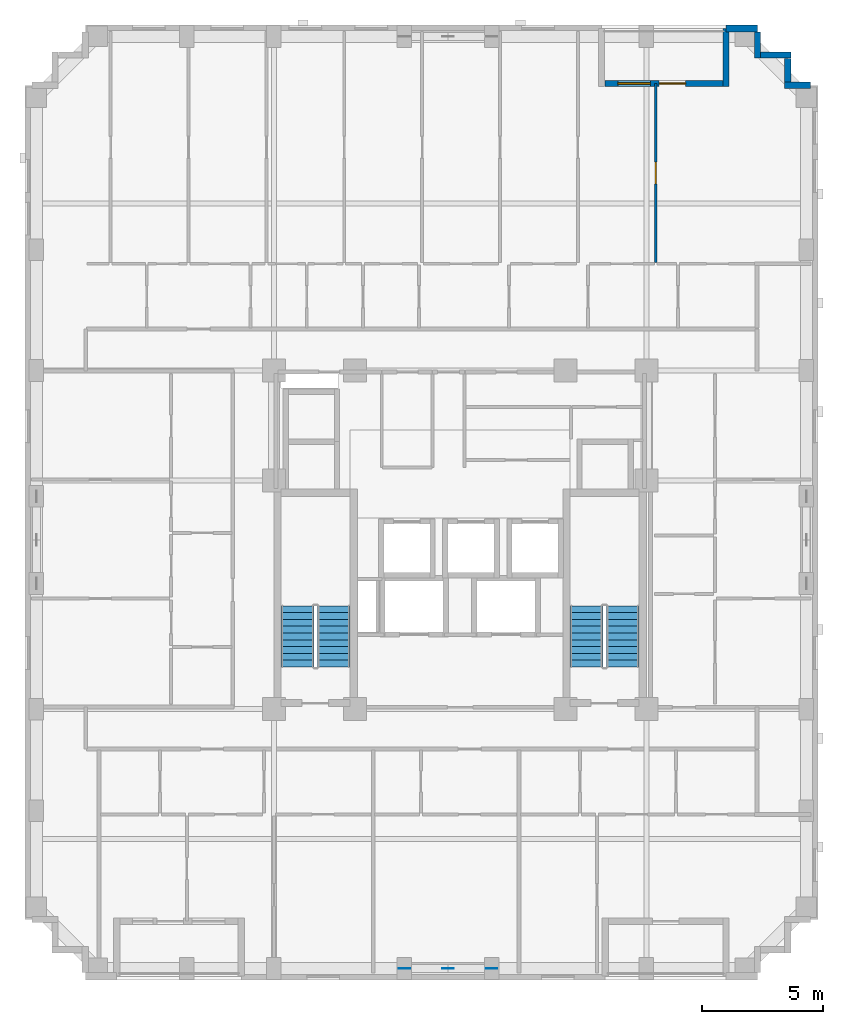
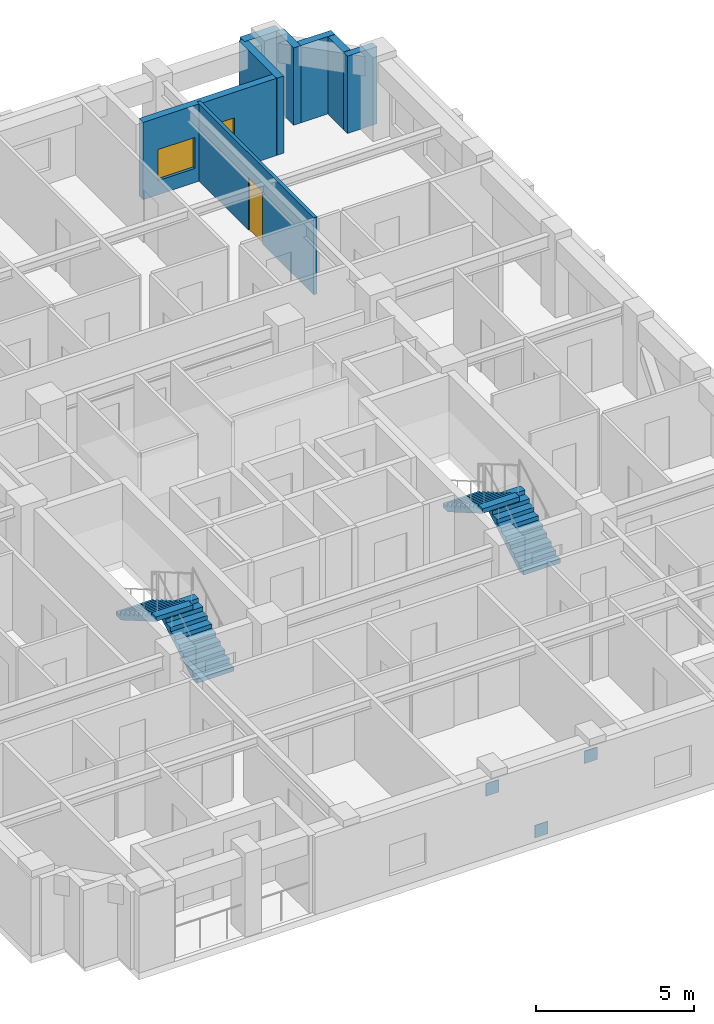
# One storey, part 8 of 11: 8 walls, 4 stair flights, 3 discrete accessories, 2 doors, 1 window, 3 openings, 2 elements without a shape of their own.
"""IFC4 building model written with IfcOpenShell, lengths in metres."""

from ifc_helpers import new_model, si_unit, derived_unit, direction, frame, frame_2d, origin, origin_2d, place, context, subcontext, project, spatial, polyline, rectangle, outline, extrude, material, layer, layer_set, type_object, element, fill, aggregate, save


model = new_model("IFC4")

# Units and contexts
model_context = context("Model", 3, precision=1e-05, world=origin(), true_north=direction((0.0, 1.0)))
body_context = subcontext(model_context, "Body", "Model", "MODEL_VIEW")
ifc_project = project(units=[si_unit("LENGTHUNIT", "METRE"), si_unit("AREAUNIT", "SQUARE_METRE"), si_unit("VOLUMEUNIT", "CUBIC_METRE"), si_unit("PLANEANGLEUNIT", "RADIAN"), si_unit("MASSUNIT", "GRAM", prefix="KILO"), derived_unit("THERMALTRANSMITTANCEUNIT", [(si_unit("MASSUNIT", "GRAM", prefix="KILO"), 1), (si_unit("TIMEUNIT", "SECOND"), -3), (si_unit("THERMODYNAMICTEMPERATUREUNIT", "KELVIN"), -1)])], contexts=[model_context])

# Site, building, storey
site_placement = place(None, origin())
site = spatial("IfcSite", under=ifc_project, at=site_placement, CompositionType="ELEMENT")
building_placement = place(site_placement, origin())
building = spatial("IfcBuilding", under=site, at=building_placement, Name="Korrvale Station Residences", CompositionType="ELEMENT")
storey_placement = place(building_placement, frame((0.0, 0.0, 156.89990234375)))
storey = spatial("IfcBuildingStorey", under=building, at=storey_placement, Name="L45", CompositionType="ELEMENT", Elevation=156.89990234375)

# Wall, openings, door, window
ifc_material_1 = material(Name="Precast concrete C45/55", Category="concrete")
ifc_layer_1 = layer(ifc_material_1, 0.260009765625, Name="Precast concrete C45/55")
ifc_layer_set_1 = layer_set([ifc_layer_1], Name="Precast concrete C45/55")
wall_type_1 = type_object("IfcWallType", Name="WAL-EXT-LOG260", PredefinedType="SOLIDWALL", material=ifc_layer_set_1)
wall_1_placement = place(storey_placement, frame((31.48388671875, 40.8701171875, 0.0), z_axis=(0.0, 0.0, 1.0), x_axis=(1.0, 0.0, 0.0)))
wall_1 = element("IfcWall", 1, at=wall_1_placement, inside=storey, type_object=wall_type_1, Name="L45 Recessed Loggia Wall BAL-L45-N1-B", PredefinedType="SOLIDWALL", context=body_context, shape_type="SweptSolid", body=[
    extrude(rectangle(XDim=4.882080078125, YDim=0.260009765625, at=frame_2d((2.44091796875, 0.0))), origin(), (0.0, 0.0, 1.0), 2.989990234375),
])
opening_1_placement = place(wall_1_placement, frame((2.24609375, 0.0, 0.0)))
opening_1 = element("IfcOpeningElement", 2, at=opening_1_placement, cuts=wall_1, Name="Opening BD-01", PredefinedType="OPENING", context=body_context, shape_type="SweptSolid", body=[
    extrude(rectangle(XDim=1.10009765625, YDim=2.0, at=frame_2d((0.550048828125, 1.0))), frame((0.0, 0.14013671875, 0.0), z_axis=(0.0, -1.0, 0.0), x_axis=(1.0, 0.0, 0.0)), (0.0, 0.0, 1.0), 0.280029296875),
])
opening_2_placement = place(wall_1_placement, frame((0.535888671875, 0.0, 0.550048828125)))
opening_2 = element("IfcOpeningElement", 3, at=opening_2_placement, cuts=wall_1, Name="Opening W-10", PredefinedType="OPENING", context=body_context, shape_type="SweptSolid", body=[
    extrude(rectangle(XDim=1.35009765625, YDim=1.199951171875, at=frame_2d((0.675048828125, 0.60009765625))), frame((0.0, 0.14013671875, 0.0), z_axis=(0.0, -1.0, 0.0), x_axis=(1.0, 0.0, 0.0)), (0.0, 0.0, 1.0), 0.280029296875),
])
ifc_material_2 = material(Name="Exterior thermally broken aluminium glazed balcony door", Category="aluminium")
door_type_1 = type_object("IfcDoorType", Name="DR-EXT-BAL", OperationType="NOTDEFINED", PredefinedType="DOOR", material=ifc_material_2)
door_1_placement = place(opening_1_placement, origin())
door_1 = element("IfcDoor", 4, at=door_1_placement, inside=storey, type_object=door_type_1, Name="L45 Loggia Balcony Door BAL-L45-N1", OperationType="SINGLE_SWING_LEFT", OverallHeight=2.0, OverallWidth=1.10009765625, PredefinedType="DOOR", context=body_context, shape_type="SweptSolid", body=[
    extrude(rectangle(XDim=1.10009765625, YDim=2.0, at=frame_2d((0.550048828125, 1.0))), frame((0.0, 0.02490234375, 0.0), z_axis=(0.0, -1.0, 0.0), x_axis=(1.0, 0.0, 0.0)), (0.0, 0.0, 1.0), 0.050048828125),
])
fill(opening_1, door_1)
ifc_material_3 = material(Name="Thermally broken aluminium frame with triple low-e glazing", Category="aluminium")
window_type = type_object("IfcWindowType", Name="WIN-W10", PartitioningType="SINGLE_PANEL", PredefinedType="WINDOW", material=ifc_material_3)
window_placement = place(opening_2_placement, origin())
window = element("IfcWindow", 5, at=window_placement, inside=storey, type_object=window_type, Name="L45 Punched Window 13", OverallHeight=1.199951171875, OverallWidth=1.35009765625, PartitioningType="SINGLE_PANEL", PredefinedType="WINDOW", context=body_context, shape_type="SweptSolid", body=[
    extrude(rectangle(XDim=1.35009765625, YDim=1.199951171875, at=frame_2d((0.675048828125, 0.60009765625))), frame((0.0, 0.030029296875, 0.0), z_axis=(0.0, -1.0, 0.0), x_axis=(1.0, 0.0, 0.0)), (0.0, 0.0, 1.0), 0.06005859375),
])
fill(opening_2, window)

# Walls
wall_2_placement = place(storey_placement, frame((36.5, 40.739990234375, 0.0), z_axis=(0.0, 0.0, 1.0), x_axis=(0.0, 1.0, 0.0)))
element("IfcWall", 6, at=wall_2_placement, inside=storey, type_object=wall_type_1, Name="L45 Recessed Loggia Wall BAL-L45-N1-R", PredefinedType="SOLIDWALL", context=body_context, shape_type="SweptSolid", body=[
    extrude(rectangle(XDim=2.39990234375, YDim=0.260009765625, at=frame_2d((1.199951171875, 0.0))), origin(), (0.0, 0.0, 1.0), 2.989990234375),
])
wall_3_placement = place(storey_placement, frame((37.800048828125, 42.998046875, 0.0), z_axis=(0.0, 0.0, 1.0), x_axis=(0.0, -1.0, 0.0)))
element("IfcWall", 7, at=wall_3_placement, inside=storey, type_object=wall_type_1, Name="L45 Serrated Corner Precast Step NE-1", PredefinedType="SOLIDWALL", context=body_context, shape_type="SweptSolid", body=[
    extrude(rectangle(XDim=1.078125, YDim=0.260009765625, at=frame_2d((0.5390625, 0.0))), origin(), (0.0, 0.0, 1.0), 2.989990234375),
])
wall_4_placement = place(storey_placement, frame((37.931884765625, 42.050048828125, 0.0), z_axis=(0.0, 0.0, 1.0), x_axis=(1.0, 0.0, 0.0)))
element("IfcWall", 8, at=wall_4_placement, inside=storey, type_object=wall_type_1, Name="L45 Serrated Corner Precast Step NE-2", PredefinedType="SOLIDWALL", context=body_context, shape_type="SweptSolid", body=[
    extrude(rectangle(XDim=1.248046875, YDim=0.260009765625, at=frame_2d((0.6240234375, 0.0))), origin(), (0.0, 0.0, 1.0), 2.989990234375),
])
wall_5_placement = place(storey_placement, frame((39.050048828125, 41.91796875, 0.0), z_axis=(0.0, 0.0, 1.0), x_axis=(0.0, -1.0, 0.0)))
element("IfcWall", 9, at=wall_5_placement, inside=storey, type_object=wall_type_1, Name="L45 Serrated Corner Precast Step NE-3", PredefinedType="SOLIDWALL", context=body_context, shape_type="SweptSolid", body=[
    extrude(rectangle(XDim=0.986083984375, YDim=0.260009765625, at=frame_2d((0.4931640625, 0.0))), origin(), (0.0, 0.0, 1.0), 2.989990234375),
])
wall_6_placement = place(storey_placement, frame((38.919921875, 40.800048828125, 0.0), z_axis=(0.0, 0.0, 1.0), x_axis=(1.0, 0.0, 0.0)))
element("IfcWall", 10, at=wall_6_placement, inside=storey, type_object=wall_type_1, Name="L45 Serrated Corner Precast Step NE-4", PredefinedType="SOLIDWALL", context=body_context, shape_type="SweptSolid", body=[
    extrude(rectangle(XDim=1.078125, YDim=0.260009765625, at=frame_2d((0.5390625, 0.0))), origin(), (0.0, 0.0, 1.0), 2.989990234375),
])
ifc_layer_2 = layer(ifc_material_1, 0.300048828125, Name="Precast concrete C45/55")
ifc_layer_set_2 = layer_set([ifc_layer_2], Name="Precast concrete C45/55")
wall_type_2 = type_object("IfcWallType", Name="WAL-EXT-PC300", PredefinedType="SOLIDWALL", material=ifc_layer_set_2)
wall_7_placement = place(storey_placement, frame((36.5, 43.14990234375, 0.0), z_axis=(0.0, 0.0, 1.0), x_axis=(1.0, 0.0, 0.0)))
element("IfcWall", 11, at=wall_7_placement, inside=storey, type_object=wall_type_2, Name="L45 North Exterior Precast Wall 2", PredefinedType="SOLIDWALL", context=body_context, shape_type="SweptSolid", body=[
    extrude(rectangle(XDim=1.300048828125, YDim=0.300048828125, at=frame_2d((0.64990234375, 0.0))), origin(), (0.0, 0.0, 1.0), 2.989990234375),
])

# Wall, opening, door
ifc_material_4 = material(Name="Acoustic steel-stud gypsum board partition", Category="steel")
ifc_layer_3 = layer(ifc_material_4, 0.1201171875, Name="Acoustic steel-stud gypsum board partition")
ifc_layer_set_3 = layer_set([ifc_layer_3], Name="Acoustic steel-stud gypsum board partition")
wall_type_3 = type_object("IfcWallType", Name="WAL-PART-125", PredefinedType="PARTITIONING", material=ifc_layer_set_3)
wall_8_placement = place(storey_placement, frame((33.590087890625, 33.47998046875, 0.0), z_axis=(0.0, 0.0, 1.0), x_axis=(0.0, 1.0, 0.0)))
wall_8 = element("IfcWall", 12, at=wall_8_placement, inside=storey, type_object=wall_type_3, Name="L45 Suite Partition U04-V1617", PredefinedType="PARTITIONING", context=body_context, shape_type="SweptSolid", body=[
    extrude(rectangle(XDim=7.39013671875, YDim=0.1201171875, at=frame_2d((3.695068359375, 0.0))), origin(), (0.0, 0.0, 1.0), 2.989990234375),
])
opening_3_placement = place(wall_8_placement, frame((3.2451171875, 0.0, 0.0)))
opening_3 = element("IfcOpeningElement", 13, at=opening_3_placement, cuts=wall_8, Name="Opening DI-900", PredefinedType="OPENING", context=body_context, shape_type="SweptSolid", body=[
    extrude(rectangle(XDim=0.89990234375, YDim=2.050048828125, at=frame_2d((0.449951171875, 1.02490234375))), frame((0.0, 0.070068359375, 0.0), z_axis=(0.0, -1.0, 0.0), x_axis=(1.0, 0.0, 0.0)), (0.0, 0.0, 1.0), 0.14013671875),
])
ifc_material_5 = material(Name="Painted solid-core timber interior room door", Category="wood")
door_type_2 = type_object("IfcDoorType", Name="DR-INT-900", OperationType="NOTDEFINED", PredefinedType="DOOR", material=ifc_material_5)
door_2_placement = place(opening_3_placement, origin())
door_2 = element("IfcDoor", 14, at=door_2_placement, inside=storey, type_object=door_type_2, Name="L45 Studio Apartment L45-U04 Formal Dining Room Door", OperationType="SINGLE_SWING_RIGHT", OverallHeight=2.050048828125, OverallWidth=0.89990234375, PredefinedType="DOOR", context=body_context, shape_type="SweptSolid", body=[
    extrude(rectangle(XDim=0.89990234375, YDim=2.050048828125, at=frame_2d((0.449951171875, 1.02490234375))), frame((0.0, 0.02490234375, 0.0), z_axis=(0.0, -1.0, 0.0), x_axis=(1.0, 0.0, 0.0)), (0.0, 0.0, 1.0), 0.050048828125),
])
fill(opening_3, door_2)

# Stair, stair flights
ifc_material_6 = material(Name="Concrete C50/60", Category="concrete")
stair_type = type_object("IfcStairType", Name="STR-DL-1350-20R-1625", PredefinedType="HALF_TURN_STAIR", material=ifc_material_6)
stair_1_placement = place(storey_placement, origin())
stair_1 = element("IfcStair", 15, at=stair_1_placement, inside=storey, type_object=stair_type, Name="L45 Exit Stair 1", PredefinedType="HALF_TURN_STAIR")
stair_flight_type = type_object("IfcStairFlightType", Name="FLT-DL-1350-20R-1625", PredefinedType="STRAIGHT", material=ifc_material_6)
stair_flight_1_placement = place(storey_placement, frame((20.27490234375, 16.75, 0.0), z_axis=(0.0, 0.0, 1.0), x_axis=(0.0, 1.0, 0.0)))
stair_flight_1 = element("IfcStairFlight", 16, at=stair_flight_1_placement, type_object=stair_flight_type, Name="ST-1 flight 1", NumberOfRisers=10, NumberOfTreads=9, PredefinedType="STRAIGHT", RiserHeight=0.1625, TreadLength=0.28, context=body_context, shape_type="SweptSolid", body=[
    extrude(outline(polyline([(0.0, 0.0), (0.0, 0.16259765625), (0.280029296875, 0.16259765625), (0.280029296875, 0.324951171875), (0.56005859375, 0.324951171875), (0.56005859375, 0.487548828125), (0.840087890625, 0.487548828125), (0.840087890625, 0.64990234375), (1.1201171875, 0.64990234375), (1.1201171875, 0.8125), (1.39990234375, 0.8125), (1.39990234375, 0.97509765625), (1.679931640625, 0.97509765625), (1.679931640625, 1.137451171875), (1.9599609375, 1.137451171875), (1.9599609375, 1.300048828125), (2.239990234375, 1.300048828125), (2.239990234375, 1.46240234375), (2.52001953125, 1.46240234375), (2.52001953125, 1.625), (2.52001953125, 1.2890625), (0.298583984375, 0.0), (0.0, 0.0)])), frame((0.0, 0.675048828125, 0.0), z_axis=(0.0, -1.0, 0.0), x_axis=(1.0, 0.0, 0.0)), (0.0, 0.0, 1.0), 1.35009765625),
])
stair_flight_2_placement = place(storey_placement, frame((18.77490234375, 19.27001953125, 1.625), z_axis=(0.0, 0.0, 1.0), x_axis=(0.0, -1.0, 0.0)))
stair_flight_2 = element("IfcStairFlight", 17, at=stair_flight_2_placement, type_object=stair_flight_type, Name="ST-1 flight 2", NumberOfRisers=10, NumberOfTreads=9, PredefinedType="STRAIGHT", RiserHeight=0.1625, TreadLength=0.28, context=body_context, shape_type="SweptSolid", body=[
    extrude(outline(polyline([(0.0, 0.0), (0.0, 0.16259765625), (0.280029296875, 0.16259765625), (0.280029296875, 0.324951171875), (0.56005859375, 0.324951171875), (0.56005859375, 0.487548828125), (0.840087890625, 0.487548828125), (0.840087890625, 0.64990234375), (1.1201171875, 0.64990234375), (1.1201171875, 0.8125), (1.39990234375, 0.8125), (1.39990234375, 0.97509765625), (1.679931640625, 0.97509765625), (1.679931640625, 1.137451171875), (1.9599609375, 1.137451171875), (1.9599609375, 1.300048828125), (2.239990234375, 1.300048828125), (2.239990234375, 1.46240234375), (2.52001953125, 1.46240234375), (2.52001953125, 1.625), (2.52001953125, 1.2890625), (0.298583984375, 0.0), (0.0, 0.0)])), frame((0.0, 0.675048828125, 0.0), z_axis=(0.0, -1.0, 0.0), x_axis=(1.0, 0.0, 0.0)), (0.0, 0.0, 1.0), 1.35009765625),
])
aggregate(stair_1, [stair_flight_1, stair_flight_2])

stair_2_placement = place(storey_placement, origin())
stair_2 = element("IfcStair", 18, at=stair_2_placement, inside=storey, type_object=stair_type, Name="L45 Exit Stair 2", PredefinedType="HALF_TURN_STAIR")
stair_flight_3_placement = place(storey_placement, frame((32.22509765625, 16.75, 0.0), z_axis=(0.0, 0.0, 1.0), x_axis=(0.0, 1.0, 0.0)))
stair_flight_3 = element("IfcStairFlight", 19, at=stair_flight_3_placement, type_object=stair_flight_type, Name="ST-2 flight 1", NumberOfRisers=10, NumberOfTreads=9, PredefinedType="STRAIGHT", RiserHeight=0.1625, TreadLength=0.28, context=body_context, shape_type="SweptSolid", body=[
    extrude(outline(polyline([(0.0, 0.0), (0.0, 0.16259765625), (0.280029296875, 0.16259765625), (0.280029296875, 0.324951171875), (0.56005859375, 0.324951171875), (0.56005859375, 0.487548828125), (0.840087890625, 0.487548828125), (0.840087890625, 0.64990234375), (1.1201171875, 0.64990234375), (1.1201171875, 0.8125), (1.39990234375, 0.8125), (1.39990234375, 0.97509765625), (1.679931640625, 0.97509765625), (1.679931640625, 1.137451171875), (1.9599609375, 1.137451171875), (1.9599609375, 1.300048828125), (2.239990234375, 1.300048828125), (2.239990234375, 1.46240234375), (2.52001953125, 1.46240234375), (2.52001953125, 1.625), (2.52001953125, 1.2890625), (0.298583984375, 0.0), (0.0, 0.0)])), frame((0.0, 0.675048828125, 0.0), z_axis=(0.0, -1.0, 0.0), x_axis=(1.0, 0.0, 0.0)), (0.0, 0.0, 1.0), 1.35009765625),
])
stair_flight_4_placement = place(storey_placement, frame((30.72509765625, 19.27001953125, 1.625), z_axis=(0.0, 0.0, 1.0), x_axis=(0.0, -1.0, 0.0)))
stair_flight_4 = element("IfcStairFlight", 20, at=stair_flight_4_placement, type_object=stair_flight_type, Name="ST-2 flight 2", NumberOfRisers=10, NumberOfTreads=9, PredefinedType="STRAIGHT", RiserHeight=0.1625, TreadLength=0.28, context=body_context, shape_type="SweptSolid", body=[
    extrude(outline(polyline([(0.0, 0.0), (0.0, 0.16259765625), (0.280029296875, 0.16259765625), (0.280029296875, 0.324951171875), (0.56005859375, 0.324951171875), (0.56005859375, 0.487548828125), (0.840087890625, 0.487548828125), (0.840087890625, 0.64990234375), (1.1201171875, 0.64990234375), (1.1201171875, 0.8125), (1.39990234375, 0.8125), (1.39990234375, 0.97509765625), (1.679931640625, 0.97509765625), (1.679931640625, 1.137451171875), (1.9599609375, 1.137451171875), (1.9599609375, 1.300048828125), (2.239990234375, 1.300048828125), (2.239990234375, 1.46240234375), (2.52001953125, 1.46240234375), (2.52001953125, 1.625), (2.52001953125, 1.2890625), (0.298583984375, 0.0), (0.0, 0.0)])), frame((0.0, 0.675048828125, 0.0), z_axis=(0.0, -1.0, 0.0), x_axis=(1.0, 0.0, 0.0)), (0.0, 0.0, 1.0), 1.35009765625),
])
aggregate(stair_2, [stair_flight_3, stair_flight_4])

# Discrete accessories
ifc_material_7 = material(Name="Steel S355", Category="steel")
ifc_layer_4 = layer(ifc_material_7, 0.02490234375, Name="Steel S355")
ifc_layer_set_4 = layer_set([ifc_layer_4], Name="Steel S355")
discrete_accessory_type = type_object("IfcDiscreteAccessoryType", Name="ACC-GUSSET-25", PredefinedType="BRACKET", material=ifc_layer_set_4)
for number, where, z_axis, x_axis, name in (
    (21, (25.0, 4.280029296875, -0.219970703125), (0.0, 0.0, 1.0), (1.0, 0.0, 0.0), "L45 S Brace End Gusset Connection M"),
    (22, (23.199951171875, 4.280029296875, 2.02001953125), (0.0, 0.0, 1.0), (1.0, 0.0, 0.0), "L45 S Brace End Gusset Connection A"),
    (23, (26.800048828125, 4.280029296875, 2.02001953125), (0.0, 0.0, 1.0), (1.0, 0.0, 0.0), "L45 S Brace End Gusset Connection B"),
):
    element("IfcDiscreteAccessory", number, at=place(storey_placement, frame(where, z_axis=z_axis, x_axis=x_axis)), inside=storey, type_object=discrete_accessory_type, Name=name, PredefinedType="BRACKET", context=body_context, shape_type="SweptSolid", body=[
        extrude(rectangle(XDim=0.47998046875, YDim=0.02490234375, at=origin_2d()), origin(), (0.0, 0.0, 1.0), 0.47998046875),
    ])

save(model, "model.ifc")
